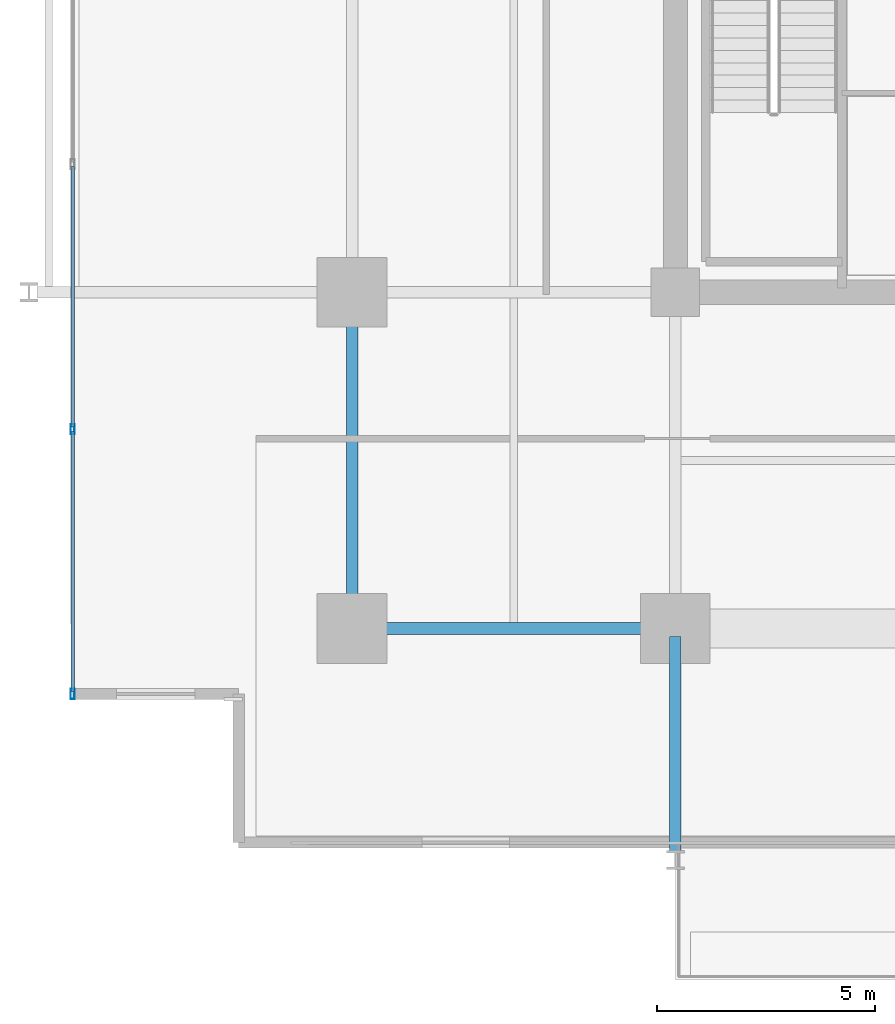
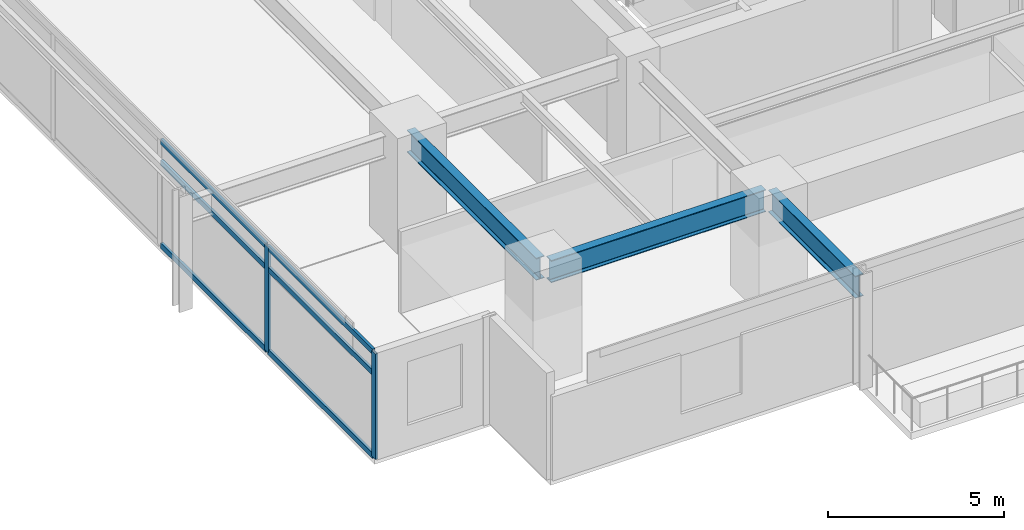
# One storey, part 2 of 22: 8 members, 3 beams, 1 element without a shape of its own.
"""IFC4 building model written with IfcOpenShell, lengths in metres."""

from ifc_helpers import new_model, si_unit, direction, frame, origin, origin_2d, place, context, subcontext, project, spatial, hollow_rectangle, i_section, extrude, material, material_profile, profile_set, type_object, element, aggregate, save


model = new_model("IFC4")

# Units and contexts
model_context = context("Model", 3, precision=1e-05, world=origin(), true_north=direction((0.0, 1.0)))
body_context = subcontext(model_context, "Body", "Model", "MODEL_VIEW")
ifc_project = project(units=[si_unit("LENGTHUNIT", "METRE"), si_unit("AREAUNIT", "SQUARE_METRE"), si_unit("VOLUMEUNIT", "CUBIC_METRE"), si_unit("PLANEANGLEUNIT", "RADIAN"), si_unit("MASSUNIT", "GRAM", prefix="KILO")], contexts=[model_context])

# Site, building, storey
site_placement = place(None, origin())
site = spatial("IfcSite", under=ifc_project, at=site_placement, CompositionType="ELEMENT")
building_placement = place(site_placement, origin())
building = spatial("IfcBuilding", under=site, at=building_placement, Name="Kovane Verandah Tower", CompositionType="ELEMENT")
storey_placement = place(building_placement, frame((0.0, 0.0, 180.39990234375)))
storey = spatial("IfcBuildingStorey", under=building, at=storey_placement, Name="L42", CompositionType="ELEMENT", Elevation=180.39990234375)

# Beams
ifc_material_1 = material(Name="Steel S355", Category="steel")
ifc_material_profile_1 = material_profile(ifc_material_1, i_section(OverallWidth=0.26806640625, OverallDepth=0.769775390625, WebThickness=0.015625, FlangeThickness=0.025390625, FilletRadius=0.0166015625, at=origin_2d()), Name="UB762x267x197")
ifc_profile_set_1 = profile_set([ifc_material_profile_1], Name="Steel S355")
beam_type = type_object("IfcBeamType", Name="BM-UB762x197", PredefinedType="BEAM", material=ifc_profile_set_1)
beam_1_placement = place(storey_placement, frame((21.780029296875, 10.800048828125, 3.315185546875), z_axis=(1.0, 0.0, 0.0), x_axis=(0.0, 1.0, 0.0)))
element("IfcBeam", 1, at=beam_1_placement, inside=storey, type_object=beam_type, Name="L42 Primary Tower Girder G-RS1", PredefinedType="BEAM", context=body_context, shape_type="SweptSolid", body=[
    extrude(i_section(OverallWidth=0.26806640625, OverallDepth=0.769775390625, WebThickness=0.015625, FlangeThickness=0.025390625, FilletRadius=0.0166015625, at=origin_2d()), origin(), (0.0, 0.0, 1.0), 7.0400390625),
])
beam_2_placement = place(storey_placement, frame((21.60009765625, 10.97998046875, 3.315185546875), z_axis=(0.0, 1.0, 0.0), x_axis=(-1.0, 0.0, 0.0)))
element("IfcBeam", 2, at=beam_2_placement, inside=storey, type_object=beam_type, Name="L42 Primary Tower Girder G-RW1", PredefinedType="BEAM", context=body_context, shape_type="SweptSolid", body=[
    extrude(i_section(OverallWidth=0.26806640625, OverallDepth=0.769775390625, WebThickness=0.015625, FlangeThickness=0.025390625, FilletRadius=0.0166015625, at=origin_2d()), origin(), (0.0, 0.0, 1.0), 7.340087890625),
])
beam_3_placement = place(storey_placement, frame((29.0, 10.6201171875, 3.315185546875), z_axis=(0.0, -1.0, 0.0), x_axis=(1.0, 0.0, 0.0)))
element("IfcBeam", 3, at=beam_3_placement, inside=storey, type_object=beam_type, Name="L42 Primary Tower Girder G-VS1", PredefinedType="BEAM", context=body_context, shape_type="SweptSolid", body=[
    extrude(i_section(OverallWidth=0.26806640625, OverallDepth=0.769775390625, WebThickness=0.015625, FlangeThickness=0.025390625, FilletRadius=0.0166015625, at=origin_2d()), origin(), (0.0, 0.0, 1.0), 4.940185546875),
])

# Curtain wall, members
ifc_material_2 = material(Name="Champagne Anodised Aluminium Frame with Low-E Clear Laminated Glass", Category="aluminium")
curtain_wall_type = type_object("IfcCurtainWallType", Name="CW-SYS-03-MID", PredefinedType="NOTDEFINED", material=ifc_material_2)
curtain_wall_placement = place(storey_placement, origin())
curtain_wall = element("IfcCurtainWall", 4, at=curtain_wall_placement, inside=storey, type_object=curtain_wall_type, Name="L42 W Unitised Curtain Wall", PredefinedType="NOTDEFINED")
ifc_material_3 = material(Name="Champagne Anodised Aluminium 6063-T6", Category="aluminium")
ifc_material_profile_2 = material_profile(ifc_material_3, hollow_rectangle(XDim=0.0849609375, YDim=0.22998046875, WallThickness=0.00390625, at=origin_2d()), Name="AL85x230x4")
ifc_profile_set_2 = profile_set([ifc_material_profile_2], Name="Champagne Anodised Aluminium 6063-T6")
member_type_1 = type_object("IfcMemberType", Name="CW-MUL-85x230", PredefinedType="MULLION", material=ifc_profile_set_2)
member_1_placement = place(storey_placement, frame((15.199951171875, 15.36669921875, 0.02001953125), z_axis=(0.0, 0.0, 1.0), x_axis=(-1.0, 0.0, 0.0)))
member_1 = element("IfcMember", 5, at=member_1_placement, type_object=member_type_1, Name="L42 W Unitised Curtain Wall Mullion 6", PredefinedType="MULLION", context=body_context, shape_type="SweptSolid", body=[
    extrude(hollow_rectangle(XDim=0.0849609375, YDim=0.22998046875, WallThickness=0.00390625, at=origin_2d()), origin(), (0.0, 0.0, 1.0), 3.66015625),
])
member_2_placement = place(storey_placement, frame((15.199951171875, 9.300048828125, 0.02001953125), z_axis=(0.0, 0.0, 1.0), x_axis=(-1.0, 0.0, 0.0)))
member_2 = element("IfcMember", 6, at=member_2_placement, type_object=member_type_1, Name="L42 W Unitised Curtain Wall Mullion 7", PredefinedType="MULLION", context=body_context, shape_type="SweptSolid", body=[
    extrude(hollow_rectangle(XDim=0.0849609375, YDim=0.22998046875, WallThickness=0.00390625, at=origin_2d()), origin(), (0.0, 0.0, 1.0), 3.66015625),
])
ifc_material_profile_3 = material_profile(ifc_material_3, hollow_rectangle(XDim=0.0849609375, YDim=0.18994140625, WallThickness=0.00390625, at=origin_2d()), Name="AL85x190x4")
ifc_profile_set_3 = profile_set([ifc_material_profile_3], Name="Champagne Anodised Aluminium 6063-T6")
member_type_2 = type_object("IfcMemberType", Name="CW-TRN-85x190", PredefinedType="USERDEFINED", material=ifc_profile_set_3)
member_3_placement = place(storey_placement, frame((15.199951171875, 21.38330078125, 0.050048828125), z_axis=(0.0, -1.0, 0.0), x_axis=(1.0, 0.0, 0.0)))
member_3 = element("IfcMember", 7, at=member_3_placement, type_object=member_type_2, Name="L42 W Unitised Curtain Wall Transom TB Bay 5", ObjectType="TRANSOM", PredefinedType="USERDEFINED", context=body_context, shape_type="SweptSolid", body=[
    extrude(hollow_rectangle(XDim=0.0849609375, YDim=0.18994140625, WallThickness=0.00390625, at=origin_2d()), origin(), (0.0, 0.0, 1.0), 5.966552734375),
])
member_4_placement = place(storey_placement, frame((15.199951171875, 21.38330078125, 2.920166015625), z_axis=(0.0, -1.0, 0.0), x_axis=(1.0, 0.0, 0.0)))
member_4 = element("IfcMember", 8, at=member_4_placement, type_object=member_type_2, Name="L42 W Unitised Curtain Wall Transom TM Bay 5", ObjectType="TRANSOM", PredefinedType="USERDEFINED", context=body_context, shape_type="SweptSolid", body=[
    extrude(hollow_rectangle(XDim=0.0849609375, YDim=0.18994140625, WallThickness=0.00390625, at=origin_2d()), origin(), (0.0, 0.0, 1.0), 5.966552734375),
])
member_5_placement = place(storey_placement, frame((15.199951171875, 21.38330078125, 3.650146484375), z_axis=(0.0, -1.0, 0.0), x_axis=(1.0, 0.0, 0.0)))
member_5 = element("IfcMember", 9, at=member_5_placement, type_object=member_type_2, Name="L42 W Unitised Curtain Wall Transom TT Bay 5", ObjectType="TRANSOM", PredefinedType="USERDEFINED", context=body_context, shape_type="SweptSolid", body=[
    extrude(hollow_rectangle(XDim=0.0849609375, YDim=0.18994140625, WallThickness=0.00390625, at=origin_2d()), origin(), (0.0, 0.0, 1.0), 5.966552734375),
])
member_6_placement = place(storey_placement, frame((15.199951171875, 15.316650390625, 0.050048828125), z_axis=(0.0, -1.0, 0.0), x_axis=(1.0, 0.0, 0.0)))
member_6 = element("IfcMember", 10, at=member_6_placement, type_object=member_type_2, Name="L42 W Unitised Curtain Wall Transom TB Bay 6", ObjectType="TRANSOM", PredefinedType="USERDEFINED", context=body_context, shape_type="SweptSolid", body=[
    extrude(hollow_rectangle(XDim=0.0849609375, YDim=0.18994140625, WallThickness=0.00390625, at=origin_2d()), origin(), (0.0, 0.0, 1.0), 5.966552734375),
])
member_7_placement = place(storey_placement, frame((15.199951171875, 15.316650390625, 2.920166015625), z_axis=(0.0, -1.0, 0.0), x_axis=(1.0, 0.0, 0.0)))
member_7 = element("IfcMember", 11, at=member_7_placement, type_object=member_type_2, Name="L42 W Unitised Curtain Wall Transom TM Bay 6", ObjectType="TRANSOM", PredefinedType="USERDEFINED", context=body_context, shape_type="SweptSolid", body=[
    extrude(hollow_rectangle(XDim=0.0849609375, YDim=0.18994140625, WallThickness=0.00390625, at=origin_2d()), origin(), (0.0, 0.0, 1.0), 5.966552734375),
])
member_8_placement = place(storey_placement, frame((15.199951171875, 15.316650390625, 3.650146484375), z_axis=(0.0, -1.0, 0.0), x_axis=(1.0, 0.0, 0.0)))
member_8 = element("IfcMember", 12, at=member_8_placement, type_object=member_type_2, Name="L42 W Unitised Curtain Wall Transom TT Bay 6", ObjectType="TRANSOM", PredefinedType="USERDEFINED", context=body_context, shape_type="SweptSolid", body=[
    extrude(hollow_rectangle(XDim=0.0849609375, YDim=0.18994140625, WallThickness=0.00390625, at=origin_2d()), origin(), (0.0, 0.0, 1.0), 5.966552734375),
])
aggregate(curtain_wall, [member_1, member_2, member_3, member_4, member_5, member_6, member_7, member_8])

save(model, "model.ifc")
